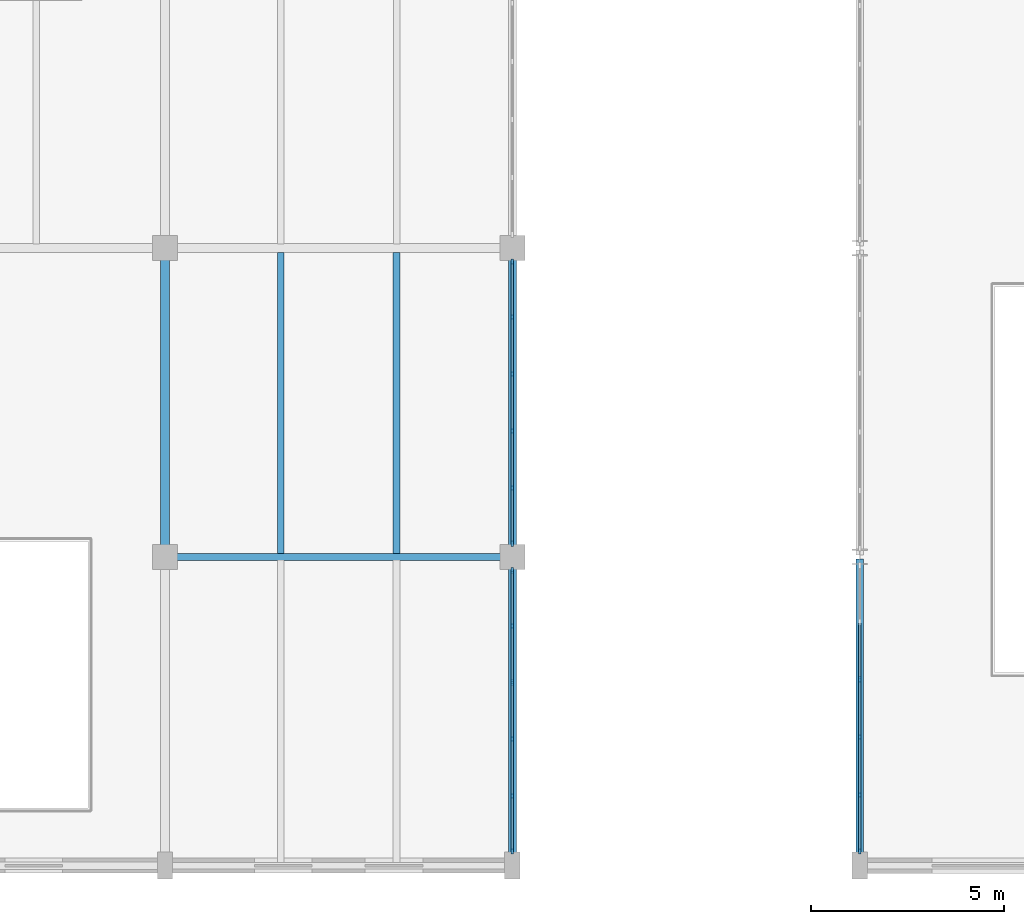
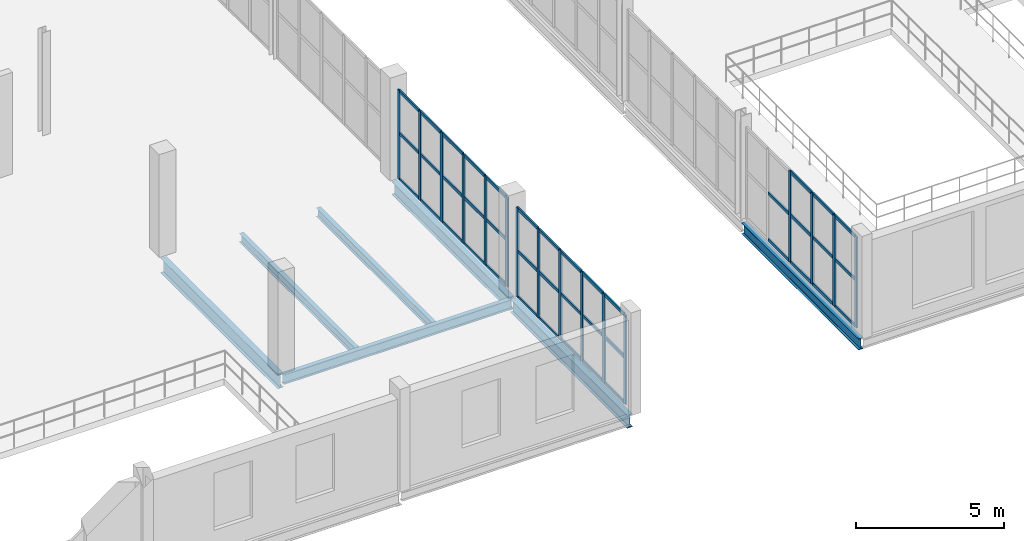
# One storey, part 18 of 85: 57 members, 7 beams, 3 elements without a shape of their own.
"""IFC4 building model written with IfcOpenShell, lengths in metres."""

import ifcopenshell
import ifcopenshell.guid

model = None  # the IFC model being written
_history = None  # IfcOwnerHistory: only IFC2X3 demands one
_inside = {}  # id of a spatial element -> (the spatial element, [elements in it])
_under = {}  # id of a project, library or spatial element -> (it, [spatial elements below it])
_declared = {}  # id of a project -> (the project, [libraries it declares])
_typed = {}  # id of a type object -> (the type object, [elements of that type])
_made_of = {}  # id of a material, layer set ... -> (it, [elements and type objects made of it])


def new_model(schema):
    """Start an empty IFC model of exactly this schema.

    Asked for "IFC4X3", IfcOpenShell would pick the latest addendum, in which some entities
    have other attributes; the version numbers below select the first issue.
    IFC2X3 requires an IfcOwnerHistory on every rooted entity: one is made here for all.
    """
    global model, _history
    if schema == "IFC4X3":
        model = ifcopenshell.file(schema_version=(4, 3, 0, 0))
    else:
        model = ifcopenshell.file(schema=schema)
    _inside.clear()
    _under.clear()
    _declared.clear()
    _typed.clear()
    _made_of.clear()
    _history = None
    if model.schema == "IFC2X3":
        org = make("IfcOrganization", Name="unknown")
        user = make(
            "IfcPersonAndOrganization",
            ThePerson=make("IfcPerson", FamilyName="unknown"),
            TheOrganization=org,
        )
        app = make(
            "IfcApplication",
            ApplicationDeveloper=org,
            Version="unknown",
            ApplicationFullName="unknown",
            ApplicationIdentifier="unknown",
        )
        _history = make(
            "IfcOwnerHistory",
            OwningUser=user,
            OwningApplication=app,
            ChangeAction="ADDED",
            CreationDate=0,
        )
    return model


def make(cls, **values):
    """One entity of the class cls with the attributes given. An attribute that is None is left unset."""
    return model.create_entity(
        cls, **{name: value for name, value in values.items() if value is not None}
    )


def rooted(cls, **values):
    """An entity with a GlobalId (a new one), such as an element, a storey or a relation."""
    return make(cls, GlobalId=ifcopenshell.guid.new(), OwnerHistory=_history, **values)


def si_unit(unit_type, name, prefix=None):
    """IfcSIUnit, for example si_unit("LENGTHUNIT", "METRE", prefix="MILLI")."""
    return make("IfcSIUnit", UnitType=unit_type, Prefix=prefix, Name=name)


def assignment(units):
    """IfcUnitAssignment: the units of a project."""
    return None if units is None else make("IfcUnitAssignment", Units=units)


def point(xyz):
    """IfcCartesianPoint."""
    return None if xyz is None else make("IfcCartesianPoint", Coordinates=xyz)


def direction(xyz):
    """IfcDirection."""
    return None if xyz is None else make("IfcDirection", DirectionRatios=xyz)


def frame(location, z_axis=None, x_axis=None):
    """IfcAxis2Placement3D, a coordinate frame: its origin and axes. An axis left out is left unset."""
    return make(
        "IfcAxis2Placement3D",
        Location=point(location),
        Axis=direction(z_axis),
        RefDirection=direction(x_axis),
    )


def frame_2d(location, x_axis=None):
    """IfcAxis2Placement2D, a coordinate frame in the plane: its origin and x axis."""
    return make(
        "IfcAxis2Placement2D", Location=point(location), RefDirection=direction(x_axis)
    )


def origin():
    """The frame at (0, 0, 0) with its axes left unset."""
    return frame((0.0, 0.0, 0.0))


def origin_2d():
    """The frame at (0, 0) in the plane with its x axis left unset."""
    return frame_2d((0.0, 0.0))


def place(relative_to, where):
    """IfcLocalPlacement: puts the frame where relative to a parent placement (None: the world)."""
    return make(
        "IfcLocalPlacement", PlacementRelTo=relative_to, RelativePlacement=where
    )


def context(
    kind, dimensions, precision=None, world=None, true_north=None, identifier=None
):
    """IfcGeometricRepresentationContext, for example the 3D "Model" context."""
    return make(
        "IfcGeometricRepresentationContext",
        ContextIdentifier=identifier,
        ContextType=kind,
        CoordinateSpaceDimension=dimensions,
        Precision=precision,
        WorldCoordinateSystem=world,
        TrueNorth=true_north,
    )


def subcontext(parent, identifier, kind, view, scale=None):
    """IfcGeometricRepresentationSubContext, for example "Body" below "Model"."""
    return make(
        "IfcGeometricRepresentationSubContext",
        ContextIdentifier=identifier,
        ContextType=kind,
        ParentContext=parent,
        TargetScale=scale,
        TargetView=view,
    )


def project(units=None, contexts=None):
    """IfcProject with its units and contexts."""
    return rooted(
        "IfcProject",
        Name="project",
        RepresentationContexts=contexts,
        UnitsInContext=assignment(units),
    )


def spatial(cls, under=None, at=None, **own):
    """A site, building, storey or space (cls), placed at a placement, below another one or the project."""
    s = rooted(cls, ObjectPlacement=at, **own)
    if under is not None:
        _under.setdefault(under.id(), (under, []))[1].append(s)
    return s


def profile(cls, at=None, kind="AREA", **sizes):
    """A parametric profile (cls). Its sizes go by their IFC names, for example OverallWidth=200.0."""
    return make(cls, ProfileType=kind, Position=at, **sizes)


def rectangle(**sizes):
    """IfcRectangleProfileDef."""
    return profile("IfcRectangleProfileDef", **sizes)


def i_section(**sizes):
    """IfcIShapeProfileDef."""
    return profile("IfcIShapeProfileDef", **sizes)


def extrude(swept, where, along, depth):
    """IfcExtrudedAreaSolid: the profile swept, set in the frame where, extruded along a direction by depth."""
    return make(
        "IfcExtrudedAreaSolid",
        SweptArea=swept,
        Position=where,
        ExtrudedDirection=direction(along),
        Depth=depth,
    )


def shape(context_of_items, identifier, shape_type, items):
    """IfcShapeRepresentation: the items that make up one representation, for example the "Body"."""
    return make(
        "IfcShapeRepresentation",
        ContextOfItems=context_of_items,
        RepresentationIdentifier=identifier,
        RepresentationType=shape_type,
        Items=items,
    )


def material(Name=None, Category=None):
    """IfcMaterial."""
    return make("IfcMaterial", Name=Name, Category=Category)


def layer(
    of_material, thickness, ventilated=None, Name=None, Category=None, Priority=None
):
    """IfcMaterialLayer: one layer of a wall or slab, of a material (None: an air gap)."""
    return make(
        "IfcMaterialLayer",
        Material=of_material,
        LayerThickness=thickness,
        IsVentilated=ventilated,
        Name=Name,
        Category=Category,
        Priority=Priority,
    )


def layer_set(layers, Name=None):
    """IfcMaterialLayerSet."""
    return make("IfcMaterialLayerSet", MaterialLayers=layers, LayerSetName=Name)


def material_profile(
    of_material, cross_section, Name=None, Category=None, Priority=None
):
    """IfcMaterialProfile: a cross section and its material."""
    return make(
        "IfcMaterialProfile",
        Name=Name,
        Material=of_material,
        Profile=cross_section,
        Priority=Priority,
        Category=Category,
    )


def profile_set(profiles, Name=None, composite=None):
    """IfcMaterialProfileSet."""
    return make(
        "IfcMaterialProfileSet",
        Name=Name,
        MaterialProfiles=profiles,
        CompositeProfile=composite,
    )


def made_of(thing, what):
    """Note that an element or type object is made of a material, layer set ...; save() writes the relation."""
    if what is not None:
        _made_of.setdefault(what.id(), (what, []))[1].append(thing)
    return thing


def type_object(cls, material=None, **own):
    """A type object (cls), such as IfcWallType, which elements share."""
    return made_of(rooted(cls, **own), material)


def element(
    cls,
    number,
    at=None,
    inside=None,
    cuts=None,
    type_object=None,
    material=None,
    context=None,
    identifier="Body",
    shape_type=None,
    held_by="IfcProductDefinitionShape",
    body=None,
    shapes=None,
    **own,
):
    """One element of the class cls, such as IfcWall. Its Tag is "e" and its number.

    at: its placement. inside: the storey or other place that contains it. cuts: it is an
    opening in that element (IfcRelVoidsElement). A single representation is given by context,
    identifier, shape_type and body (its items); several are given by shapes. held_by: the class
    of the entity that holds the representations. save() writes the other relations.
    """
    e = rooted(cls, Tag="e%d" % number, ObjectPlacement=at, **own)
    if body is not None:
        shapes = [shape(context, identifier, shape_type, body)]
    if shapes is not None:
        e.Representation = make(held_by, Representations=shapes)
    if inside is not None:
        _inside.setdefault(inside.id(), (inside, []))[1].append(e)
    if cuts is not None:
        rooted(
            "IfcRelVoidsElement", RelatingBuildingElement=cuts, RelatedOpeningElement=e
        )
    if type_object is not None:
        _typed.setdefault(type_object.id(), (type_object, []))[1].append(e)
    return made_of(e, material)


def aggregate(whole, parts):
    """IfcRelAggregates: a whole, such as a stair, and the parts it consists of."""
    return rooted("IfcRelAggregates", RelatingObject=whole, RelatedObjects=parts)


def save(model, path):
    """Write the relations noted so far, then the file.

    IfcRelAggregates (storeys below a building ...), IfcRelContainedInSpatialStructure (elements
    in a storey), IfcRelDefinesByType, IfcRelAssociatesMaterial and IfcRelDeclares: one each for
    every whole, place, type object, material and project.
    """
    for whole, parts in _under.values():
        aggregate(whole, parts)
    for where, things in _inside.values():
        rooted(
            "IfcRelContainedInSpatialStructure",
            RelatedElements=things,
            RelatingStructure=where,
        )
    for kind, things in _typed.values():
        rooted("IfcRelDefinesByType", RelatedObjects=things, RelatingType=kind)
    for what, things in _made_of.values():
        rooted("IfcRelAssociatesMaterial", RelatedObjects=things, RelatingMaterial=what)
    for by, libraries in _declared.values():
        rooted("IfcRelDeclares", RelatingContext=by, RelatedDefinitions=libraries)
    model.write(path)


model = new_model("IFC4")

# Units and contexts
model_context = context("Model", 3, precision=1e-05, world=origin(), true_north=direction((0.0, 1.0)))
body_context = subcontext(model_context, "Body", "Model", "MODEL_VIEW")
ifc_project = project(units=[si_unit("LENGTHUNIT", "METRE"), si_unit("AREAUNIT", "SQUARE_METRE"), si_unit("VOLUMEUNIT", "CUBIC_METRE"), si_unit("PLANEANGLEUNIT", "RADIAN"), si_unit("MASSUNIT", "GRAM", prefix="KILO")], contexts=[model_context])

# Site, building, storey
site_placement = place(None, origin())
site = spatial("IfcSite", under=ifc_project, at=site_placement, CompositionType="ELEMENT")
building_placement = place(site_placement, origin())
building = spatial("IfcBuilding", under=site, at=building_placement, Name="Marnock Terrace Opera House", CompositionType="ELEMENT")
storey_placement = place(building_placement, frame((0.0, 0.0, 10.199951171875)))
storey = spatial("IfcBuildingStorey", under=building, at=storey_placement, Name="L02", CompositionType="ELEMENT", Elevation=10.199951171875)

# Beams
ifc_material_1 = material(Name="Steel Grade 350 (AS/NZS 3679.1)", Category="steel")
ifc_material_profile_1 = material_profile(ifc_material_1, i_section(OverallWidth=0.177978515625, OverallDepth=0.402587890625, WebThickness=0.007568359375, FlangeThickness=0.010986328125, FilletRadius=0.011474609375, at=origin_2d()))
ifc_profile_set_1 = profile_set([ifc_material_profile_1], Name="Steel Grade 350 (AS/NZS 3679.1)")
beam_type_1 = type_object("IfcBeamType", Name="BM-GIRD-410", PredefinedType="BEAM", material=ifc_profile_set_1)
beam_1_placement = place(storey_placement, frame((37.050048828125, 16.0, -0.461181640625), z_axis=(1.0, 0.0, 0.0), x_axis=(0.0, 1.0, 0.0)))
element("IfcBeam", 1, at=beam_1_placement, inside=storey, type_object=beam_type_1, Name="L02 girder (37.0..46.0, Y=16.0)", PredefinedType="BEAM", context=body_context, shape_type="SweptSolid", body=[
    extrude(i_section(OverallWidth=0.177978515625, OverallDepth=0.402587890625, WebThickness=0.007568359375, FlangeThickness=0.010986328125, FilletRadius=0.011474609375, at=origin_2d()), origin(), (0.0, 0.0, 1.0), 8.89990234375),
])
ifc_material_profile_2 = material_profile(ifc_material_1, i_section(OverallWidth=0.18994140625, OverallDepth=0.45751953125, WebThickness=0.009033203125, FlangeThickness=0.014404296875, FilletRadius=0.011474609375, at=origin_2d()))
ifc_profile_set_2 = profile_set([ifc_material_profile_2], Name="Steel Grade 350 (AS/NZS 3679.1)")
beam_type_2 = type_object("IfcBeamType", Name="BM-GIRD-460B", PredefinedType="BEAM", material=ifc_profile_set_2)
beam_2_placement = place(storey_placement, frame((55.0, 8.050048828125, -0.48876953125), z_axis=(0.0, 1.0, 0.0), x_axis=(-1.0, 0.0, 0.0)))
element("IfcBeam", 2, at=beam_2_placement, inside=storey, type_object=beam_type_2, Name="L02 girder (X=55.0, 8.0..16.0)", PredefinedType="BEAM", context=body_context, shape_type="SweptSolid", body=[
    extrude(i_section(OverallWidth=0.18994140625, OverallDepth=0.45751953125, WebThickness=0.009033203125, FlangeThickness=0.014404296875, FilletRadius=0.011474609375, at=origin_2d()), origin(), (0.0, 0.0, 1.0), 7.89990234375),
])
ifc_material_profile_3 = material_profile(ifc_material_1, i_section(OverallWidth=0.208984375, OverallDepth=0.528076171875, WebThickness=0.009521484375, FlangeThickness=0.01318359375, FilletRadius=0.013916015625, at=origin_2d()))
ifc_profile_set_3 = profile_set([ifc_material_profile_3], Name="Steel Grade 350 (AS/NZS 3679.1)")
beam_type_3 = type_object("IfcBeamType", Name="BM-GIRD-530B", PredefinedType="BEAM", material=ifc_profile_set_3)
for number, where, z_axis, x_axis, name in (
    (3, (46.0, 8.050048828125, -0.52392578125), (0.0, 1.0, 0.0), (-1.0, 0.0, 0.0), "L02 girder (X=46.0, 8.0..16.0)"),
    (4, (46.0, 16.050048828125, -0.52392578125), (0.0, 1.0, 0.0), (-1.0, 0.0, 0.0), "L02 girder (X=46.0, 16.0..24.0)"),
):
    element("IfcBeam", number, at=place(storey_placement, frame(where, z_axis=z_axis, x_axis=x_axis)), inside=storey, type_object=beam_type_3, Name=name, PredefinedType="BEAM", context=body_context, shape_type="SweptSolid", body=[
        extrude(i_section(OverallWidth=0.208984375, OverallDepth=0.528076171875, WebThickness=0.009521484375, FlangeThickness=0.01318359375, FilletRadius=0.013916015625, at=origin_2d()), origin(), (0.0, 0.0, 1.0), 7.89990234375),
    ])
ifc_material_profile_4 = material_profile(ifc_material_1, i_section(OverallWidth=0.22802734375, OverallDepth=0.60205078125, WebThickness=0.010498046875, FlangeThickness=0.014892578125, FilletRadius=0.013916015625, at=origin_2d()))
ifc_profile_set_4 = profile_set([ifc_material_profile_4], Name="Steel Grade 350 (AS/NZS 3679.1)")
beam_type_4 = type_object("IfcBeamType", Name="BM-GIRD-610C", PredefinedType="BEAM", material=ifc_profile_set_4)
beam_3_placement = place(storey_placement, frame((37.0, 16.050048828125, -0.56103515625), z_axis=(0.0, 1.0, 0.0), x_axis=(-1.0, 0.0, 0.0)))
element("IfcBeam", 5, at=beam_3_placement, inside=storey, type_object=beam_type_4, Name="L02 girder (X=37.0, 16.0..24.0)", PredefinedType="BEAM", context=body_context, shape_type="SweptSolid", body=[
    extrude(i_section(OverallWidth=0.22802734375, OverallDepth=0.60205078125, WebThickness=0.010498046875, FlangeThickness=0.014892578125, FilletRadius=0.013916015625, at=origin_2d()), origin(), (0.0, 0.0, 1.0), 7.89990234375),
])
ifc_material_profile_5 = material_profile(ifc_material_1, i_section(OverallWidth=0.172119140625, OverallDepth=0.358642578125, WebThickness=0.008056640625, FlangeThickness=0.012939453125, FilletRadius=0.011474609375, at=origin_2d()))
ifc_profile_set_5 = profile_set([ifc_material_profile_5], Name="Steel Grade 350 (AS/NZS 3679.1)")
beam_type_5 = type_object("IfcBeamType", Name="BM-JOIST-360", PredefinedType="JOIST", material=ifc_profile_set_5)
for number, where, z_axis, x_axis, name in (
    (6, (40.0, 16.083984375, -0.439208984375), (0.0, 1.0, 0.0), (-1.0, 0.0, 0.0), "L02 secondary joist 4.2.1"),
    (7, (43.0, 16.083984375, -0.439208984375), (0.0, 1.0, 0.0), (-1.0, 0.0, 0.0), "L02 secondary joist 4.2.2"),
):
    element("IfcBeam", number, at=place(storey_placement, frame(where, z_axis=z_axis, x_axis=x_axis)), inside=storey, type_object=beam_type_5, Name=name, PredefinedType="JOIST", context=body_context, shape_type="SweptSolid", body=[
        extrude(i_section(OverallWidth=0.172119140625, OverallDepth=0.358642578125, WebThickness=0.008056640625, FlangeThickness=0.012939453125, FilletRadius=0.011474609375, at=origin_2d()), origin(), (0.0, 0.0, 1.0), 7.806396484375),
    ])

# Curtain wall, members
ifc_material_2 = material(Name="Anodised architectural bronze aluminium framing", Category="aluminium")
ifc_layer_1 = layer(ifc_material_2, 0.159912109375)
ifc_layer_set_1 = layer_set([ifc_layer_1], Name="Anodised architectural bronze aluminium framing")
curtain_wall_type_1 = type_object("IfcCurtainWallType", Name="CW-FOYER-80x42", PredefinedType="NOTDEFINED", material=ifc_layer_set_1)
curtain_wall_1_placement = place(storey_placement, origin())
curtain_wall_1 = element("IfcCurtainWall", 8, at=curtain_wall_1_placement, inside=storey, type_object=curtain_wall_type_1, Name="L02 glazed Beaux-Arts colonnade curtain wall CW-V1W-L02-01", PredefinedType="NOTDEFINED")
ifc_material_profile_6 = material_profile(ifc_material_2, rectangle(XDim=0.06005859375, YDim=0.14990234375, at=origin_2d()))
ifc_profile_set_6 = profile_set([ifc_material_profile_6], Name="Anodised architectural bronze aluminium framing")
member_type_1 = type_object("IfcMemberType", Name="CWM-60x150", PredefinedType="MULLION", material=ifc_profile_set_6)
member_1_placement = place(storey_placement, frame((55.0, 8.3759765625, 0.0), z_axis=(0.0, 0.0, 1.0), x_axis=(-1.0, 0.0, 0.0)))
member_1 = element("IfcMember", 9, at=member_1_placement, type_object=member_type_1, Name="CW-62 mullion 1", PredefinedType="MULLION", context=body_context, shape_type="SweptSolid", body=[
    extrude(rectangle(XDim=0.06005859375, YDim=0.14990234375, at=origin_2d()), origin(), (0.0, 0.0, 1.0), 3.752685546875),
])
member_2_placement = place(storey_placement, frame((55.0, 9.837646484375, 0.0), z_axis=(0.0, 0.0, 1.0), x_axis=(-1.0, 0.0, 0.0)))
member_2 = element("IfcMember", 10, at=member_2_placement, type_object=member_type_1, Name="CW-62 mullion 2", PredefinedType="MULLION", context=body_context, shape_type="SweptSolid", body=[
    extrude(rectangle(XDim=0.06005859375, YDim=0.14990234375, at=origin_2d()), origin(), (0.0, 0.0, 1.0), 3.752685546875),
])
member_3_placement = place(storey_placement, frame((55.0, 11.3291015625, 0.0), z_axis=(0.0, 0.0, 1.0), x_axis=(-1.0, 0.0, 0.0)))
member_3 = element("IfcMember", 11, at=member_3_placement, type_object=member_type_1, Name="CW-62 mullion 3", PredefinedType="MULLION", context=body_context, shape_type="SweptSolid", body=[
    extrude(rectangle(XDim=0.06005859375, YDim=0.14990234375, at=origin_2d()), origin(), (0.0, 0.0, 1.0), 3.752685546875),
])
member_4_placement = place(storey_placement, frame((55.0, 12.82080078125, 0.0), z_axis=(0.0, 0.0, 1.0), x_axis=(-1.0, 0.0, 0.0)))
member_4 = element("IfcMember", 12, at=member_4_placement, type_object=member_type_1, Name="CW-62 mullion 4", PredefinedType="MULLION", context=body_context, shape_type="SweptSolid", body=[
    extrude(rectangle(XDim=0.06005859375, YDim=0.14990234375, at=origin_2d()), origin(), (0.0, 0.0, 1.0), 3.752685546875),
])

ifc_layer_2 = layer(ifc_material_2, 0.159912109375)
ifc_layer_set_2 = layer_set([ifc_layer_2], Name="Anodised architectural bronze aluminium framing")
curtain_wall_type_2 = type_object("IfcCurtainWallType", Name="CW-COURT-80x42", PredefinedType="NOTDEFINED", material=ifc_layer_set_2)
curtain_wall_2_placement = place(storey_placement, origin())
curtain_wall_2 = element("IfcCurtainWall", 13, at=curtain_wall_2_placement, inside=storey, type_object=curtain_wall_type_2, Name="L02 glazed Beaux-Arts colonnade curtain wall CW-V3E-L02-01", PredefinedType="NOTDEFINED")
member_5_placement = place(storey_placement, frame((46.0, 8.3759765625, 0.0), z_axis=(0.0, 0.0, 1.0), x_axis=(-1.0, 0.0, 0.0)))
member_5 = element("IfcMember", 14, at=member_5_placement, type_object=member_type_1, Name="CW-12 mullion 1", PredefinedType="MULLION", context=body_context, shape_type="SweptSolid", body=[
    extrude(rectangle(XDim=0.06005859375, YDim=0.14990234375, at=origin_2d()), origin(), (0.0, 0.0, 1.0), 3.68212890625),
])
member_6_placement = place(storey_placement, frame((46.0, 9.8125, 0.0), z_axis=(0.0, 0.0, 1.0), x_axis=(-1.0, 0.0, 0.0)))
member_6 = element("IfcMember", 15, at=member_6_placement, type_object=member_type_1, Name="CW-12 mullion 2", PredefinedType="MULLION", context=body_context, shape_type="SweptSolid", body=[
    extrude(rectangle(XDim=0.06005859375, YDim=0.14990234375, at=origin_2d()), origin(), (0.0, 0.0, 1.0), 3.68212890625),
])
member_7_placement = place(storey_placement, frame((46.0, 11.279296875, 0.0), z_axis=(0.0, 0.0, 1.0), x_axis=(-1.0, 0.0, 0.0)))
member_7 = element("IfcMember", 16, at=member_7_placement, type_object=member_type_1, Name="CW-12 mullion 3", PredefinedType="MULLION", context=body_context, shape_type="SweptSolid", body=[
    extrude(rectangle(XDim=0.06005859375, YDim=0.14990234375, at=origin_2d()), origin(), (0.0, 0.0, 1.0), 3.68212890625),
])
member_8_placement = place(storey_placement, frame((46.0, 12.745849609375, 0.0), z_axis=(0.0, 0.0, 1.0), x_axis=(-1.0, 0.0, 0.0)))
member_8 = element("IfcMember", 17, at=member_8_placement, type_object=member_type_1, Name="CW-12 mullion 4", PredefinedType="MULLION", context=body_context, shape_type="SweptSolid", body=[
    extrude(rectangle(XDim=0.06005859375, YDim=0.14990234375, at=origin_2d()), origin(), (0.0, 0.0, 1.0), 3.68212890625),
])
member_9_placement = place(storey_placement, frame((46.0, 14.21240234375, 0.0), z_axis=(0.0, 0.0, 1.0), x_axis=(-1.0, 0.0, 0.0)))
member_9 = element("IfcMember", 18, at=member_9_placement, type_object=member_type_1, Name="CW-12 mullion 5", PredefinedType="MULLION", context=body_context, shape_type="SweptSolid", body=[
    extrude(rectangle(XDim=0.06005859375, YDim=0.14990234375, at=origin_2d()), origin(), (0.0, 0.0, 1.0), 3.68212890625),
])
member_10_placement = place(storey_placement, frame((46.0, 15.64892578125, 0.0), z_axis=(0.0, 0.0, 1.0), x_axis=(-1.0, 0.0, 0.0)))
member_10 = element("IfcMember", 19, at=member_10_placement, type_object=member_type_1, Name="CW-12 mullion 6", PredefinedType="MULLION", context=body_context, shape_type="SweptSolid", body=[
    extrude(rectangle(XDim=0.06005859375, YDim=0.14990234375, at=origin_2d()), origin(), (0.0, 0.0, 1.0), 3.68212890625),
])

curtain_wall_3_placement = place(storey_placement, origin())
curtain_wall_3 = element("IfcCurtainWall", 20, at=curtain_wall_3_placement, inside=storey, type_object=curtain_wall_type_2, Name="L02 glazed Beaux-Arts colonnade curtain wall CW-V3E-L02-02", PredefinedType="NOTDEFINED")
member_11_placement = place(storey_placement, frame((46.0, 16.35107421875, 0.0), z_axis=(0.0, 0.0, 1.0), x_axis=(-1.0, 0.0, 0.0)))
member_11 = element("IfcMember", 21, at=member_11_placement, type_object=member_type_1, Name="CW-12 mullion 1", PredefinedType="MULLION", context=body_context, shape_type="SweptSolid", body=[
    extrude(rectangle(XDim=0.06005859375, YDim=0.14990234375, at=origin_2d()), origin(), (0.0, 0.0, 1.0), 3.68212890625),
])
member_12_placement = place(storey_placement, frame((46.0, 17.79248046875, 0.0), z_axis=(0.0, 0.0, 1.0), x_axis=(-1.0, 0.0, 0.0)))
member_12 = element("IfcMember", 22, at=member_12_placement, type_object=member_type_1, Name="CW-12 mullion 2", PredefinedType="MULLION", context=body_context, shape_type="SweptSolid", body=[
    extrude(rectangle(XDim=0.06005859375, YDim=0.14990234375, at=origin_2d()), origin(), (0.0, 0.0, 1.0), 3.68212890625),
])
member_13_placement = place(storey_placement, frame((46.0, 19.26416015625, 0.0), z_axis=(0.0, 0.0, 1.0), x_axis=(-1.0, 0.0, 0.0)))
member_13 = element("IfcMember", 23, at=member_13_placement, type_object=member_type_1, Name="CW-12 mullion 3", PredefinedType="MULLION", context=body_context, shape_type="SweptSolid", body=[
    extrude(rectangle(XDim=0.06005859375, YDim=0.14990234375, at=origin_2d()), origin(), (0.0, 0.0, 1.0), 3.68212890625),
])
member_14_placement = place(storey_placement, frame((46.0, 20.73583984375, 0.0), z_axis=(0.0, 0.0, 1.0), x_axis=(-1.0, 0.0, 0.0)))
member_14 = element("IfcMember", 24, at=member_14_placement, type_object=member_type_1, Name="CW-12 mullion 4", PredefinedType="MULLION", context=body_context, shape_type="SweptSolid", body=[
    extrude(rectangle(XDim=0.06005859375, YDim=0.14990234375, at=origin_2d()), origin(), (0.0, 0.0, 1.0), 3.68212890625),
])
member_15_placement = place(storey_placement, frame((46.0, 22.20751953125, 0.0), z_axis=(0.0, 0.0, 1.0), x_axis=(-1.0, 0.0, 0.0)))
member_15 = element("IfcMember", 25, at=member_15_placement, type_object=member_type_1, Name="CW-12 mullion 5", PredefinedType="MULLION", context=body_context, shape_type="SweptSolid", body=[
    extrude(rectangle(XDim=0.06005859375, YDim=0.14990234375, at=origin_2d()), origin(), (0.0, 0.0, 1.0), 3.68212890625),
])
member_16_placement = place(storey_placement, frame((46.0, 23.64892578125, 0.0), z_axis=(0.0, 0.0, 1.0), x_axis=(-1.0, 0.0, 0.0)))
member_16 = element("IfcMember", 26, at=member_16_placement, type_object=member_type_1, Name="CW-12 mullion 6", PredefinedType="MULLION", context=body_context, shape_type="SweptSolid", body=[
    extrude(rectangle(XDim=0.06005859375, YDim=0.14990234375, at=origin_2d()), origin(), (0.0, 0.0, 1.0), 3.68212890625),
])

# Member
ifc_material_profile_7 = material_profile(ifc_material_2, rectangle(XDim=0.06005859375, YDim=0.1298828125, at=origin_2d()))
ifc_profile_set_7 = profile_set([ifc_material_profile_7], Name="Anodised architectural bronze aluminium framing")
member_type_2 = type_object("IfcMemberType", Name="CWT-60x130", PredefinedType="USERDEFINED", material=ifc_profile_set_7)
member_17_placement = place(storey_placement, frame((55.0, 8.406005859375, 0.030029296875), z_axis=(0.0, 1.0, 0.0), x_axis=(-1.0, 0.0, 0.0)))
member_17 = element("IfcMember", 27, at=member_17_placement, type_object=member_type_2, Name="CW-62 transom 1.1", ObjectType="TRANSOM", PredefinedType="USERDEFINED", context=body_context, shape_type="SweptSolid", body=[
    extrude(rectangle(XDim=0.06005859375, YDim=0.1298828125, at=origin_2d()), origin(), (0.0, 0.0, 1.0), 1.401611328125),
])

member_18_placement = place(storey_placement, frame((55.0, 8.406005859375, 1.951416015625), z_axis=(0.0, 1.0, 0.0), x_axis=(-1.0, 0.0, 0.0)))
member_18 = element("IfcMember", 28, at=member_18_placement, type_object=member_type_2, Name="CW-62 transom 1.2", ObjectType="TRANSOM", PredefinedType="USERDEFINED", context=body_context, shape_type="SweptSolid", body=[
    extrude(rectangle(XDim=0.06005859375, YDim=0.1298828125, at=origin_2d()), origin(), (0.0, 0.0, 1.0), 1.401611328125),
])

member_19_placement = place(storey_placement, frame((55.0, 8.406005859375, 3.72265625), z_axis=(0.0, 1.0, 0.0), x_axis=(-1.0, 0.0, 0.0)))
member_19 = element("IfcMember", 29, at=member_19_placement, type_object=member_type_2, Name="CW-62 transom 1.3", ObjectType="TRANSOM", PredefinedType="USERDEFINED", context=body_context, shape_type="SweptSolid", body=[
    extrude(rectangle(XDim=0.06005859375, YDim=0.1298828125, at=origin_2d()), origin(), (0.0, 0.0, 1.0), 1.401611328125),
])

member_20_placement = place(storey_placement, frame((55.0, 9.86767578125, 0.030029296875), z_axis=(0.0, 1.0, 0.0), x_axis=(-1.0, 0.0, 0.0)))
member_20 = element("IfcMember", 30, at=member_20_placement, type_object=member_type_2, Name="CW-62 transom 2.1", ObjectType="TRANSOM", PredefinedType="USERDEFINED", context=body_context, shape_type="SweptSolid", body=[
    extrude(rectangle(XDim=0.06005859375, YDim=0.1298828125, at=origin_2d()), origin(), (0.0, 0.0, 1.0), 1.431640625),
])

member_21_placement = place(storey_placement, frame((55.0, 9.86767578125, 1.951416015625), z_axis=(0.0, 1.0, 0.0), x_axis=(-1.0, 0.0, 0.0)))
member_21 = element("IfcMember", 31, at=member_21_placement, type_object=member_type_2, Name="CW-62 transom 2.2", ObjectType="TRANSOM", PredefinedType="USERDEFINED", context=body_context, shape_type="SweptSolid", body=[
    extrude(rectangle(XDim=0.06005859375, YDim=0.1298828125, at=origin_2d()), origin(), (0.0, 0.0, 1.0), 1.431640625),
])

member_22_placement = place(storey_placement, frame((55.0, 9.86767578125, 3.72265625), z_axis=(0.0, 1.0, 0.0), x_axis=(-1.0, 0.0, 0.0)))
member_22 = element("IfcMember", 32, at=member_22_placement, type_object=member_type_2, Name="CW-62 transom 2.3", ObjectType="TRANSOM", PredefinedType="USERDEFINED", context=body_context, shape_type="SweptSolid", body=[
    extrude(rectangle(XDim=0.06005859375, YDim=0.1298828125, at=origin_2d()), origin(), (0.0, 0.0, 1.0), 1.431640625),
])

member_23_placement = place(storey_placement, frame((55.0, 11.359130859375, 0.030029296875), z_axis=(0.0, 1.0, 0.0), x_axis=(-1.0, 0.0, 0.0)))
member_23 = element("IfcMember", 33, at=member_23_placement, type_object=member_type_2, Name="CW-62 transom 3.1", ObjectType="TRANSOM", PredefinedType="USERDEFINED", context=body_context, shape_type="SweptSolid", body=[
    extrude(rectangle(XDim=0.06005859375, YDim=0.1298828125, at=origin_2d()), origin(), (0.0, 0.0, 1.0), 1.431640625),
])

member_24_placement = place(storey_placement, frame((55.0, 11.359130859375, 1.951416015625), z_axis=(0.0, 1.0, 0.0), x_axis=(-1.0, 0.0, 0.0)))
member_24 = element("IfcMember", 34, at=member_24_placement, type_object=member_type_2, Name="CW-62 transom 3.2", ObjectType="TRANSOM", PredefinedType="USERDEFINED", context=body_context, shape_type="SweptSolid", body=[
    extrude(rectangle(XDim=0.06005859375, YDim=0.1298828125, at=origin_2d()), origin(), (0.0, 0.0, 1.0), 1.431640625),
])

member_25_placement = place(storey_placement, frame((55.0, 11.359130859375, 3.72265625), z_axis=(0.0, 1.0, 0.0), x_axis=(-1.0, 0.0, 0.0)))
member_25 = element("IfcMember", 35, at=member_25_placement, type_object=member_type_2, Name="CW-62 transom 3.3", ObjectType="TRANSOM", PredefinedType="USERDEFINED", context=body_context, shape_type="SweptSolid", body=[
    extrude(rectangle(XDim=0.06005859375, YDim=0.1298828125, at=origin_2d()), origin(), (0.0, 0.0, 1.0), 1.431640625),
])

member_26_placement = place(storey_placement, frame((55.0, 12.850830078125, 0.030029296875), z_axis=(0.0, 1.0, 0.0), x_axis=(-1.0, 0.0, 0.0)))
member_26 = element("IfcMember", 36, at=member_26_placement, type_object=member_type_2, Name="CW-62 transom 4.1", ObjectType="TRANSOM", PredefinedType="USERDEFINED", context=body_context, shape_type="SweptSolid", body=[
    extrude(rectangle(XDim=0.06005859375, YDim=0.1298828125, at=origin_2d()), origin(), (0.0, 0.0, 1.0), 1.431640625),
])

member_27_placement = place(storey_placement, frame((55.0, 12.850830078125, 1.951416015625), z_axis=(0.0, 1.0, 0.0), x_axis=(-1.0, 0.0, 0.0)))
member_27 = element("IfcMember", 37, at=member_27_placement, type_object=member_type_2, Name="CW-62 transom 4.2", ObjectType="TRANSOM", PredefinedType="USERDEFINED", context=body_context, shape_type="SweptSolid", body=[
    extrude(rectangle(XDim=0.06005859375, YDim=0.1298828125, at=origin_2d()), origin(), (0.0, 0.0, 1.0), 1.431640625),
])

aggregate(curtain_wall_1, [member_1, member_2, member_3, member_4, member_17, member_18, member_19, member_20, member_21, member_22, member_23, member_24, member_25, member_26, member_27])

member_28_placement = place(storey_placement, frame((46.0, 8.406005859375, 0.030029296875), z_axis=(0.0, 1.0, 0.0), x_axis=(-1.0, 0.0, 0.0)))
member_28 = element("IfcMember", 38, at=member_28_placement, type_object=member_type_2, Name="CW-12 transom 1.1", ObjectType="TRANSOM", PredefinedType="USERDEFINED", context=body_context, shape_type="SweptSolid", body=[
    extrude(rectangle(XDim=0.06005859375, YDim=0.1298828125, at=origin_2d()), origin(), (0.0, 0.0, 1.0), 1.376708984375),
])

member_29_placement = place(storey_placement, frame((46.0, 8.406005859375, 1.91455078125), z_axis=(0.0, 1.0, 0.0), x_axis=(-1.0, 0.0, 0.0)))
member_29 = element("IfcMember", 39, at=member_29_placement, type_object=member_type_2, Name="CW-12 transom 1.2", ObjectType="TRANSOM", PredefinedType="USERDEFINED", context=body_context, shape_type="SweptSolid", body=[
    extrude(rectangle(XDim=0.06005859375, YDim=0.1298828125, at=origin_2d()), origin(), (0.0, 0.0, 1.0), 1.376708984375),
])

member_30_placement = place(storey_placement, frame((46.0, 8.406005859375, 3.652099609375), z_axis=(0.0, 1.0, 0.0), x_axis=(-1.0, 0.0, 0.0)))
member_30 = element("IfcMember", 40, at=member_30_placement, type_object=member_type_2, Name="CW-12 transom 1.3", ObjectType="TRANSOM", PredefinedType="USERDEFINED", context=body_context, shape_type="SweptSolid", body=[
    extrude(rectangle(XDim=0.06005859375, YDim=0.1298828125, at=origin_2d()), origin(), (0.0, 0.0, 1.0), 1.376708984375),
])

member_31_placement = place(storey_placement, frame((46.0, 9.842529296875, 0.030029296875), z_axis=(0.0, 1.0, 0.0), x_axis=(-1.0, 0.0, 0.0)))
member_31 = element("IfcMember", 41, at=member_31_placement, type_object=member_type_2, Name="CW-12 transom 2.1", ObjectType="TRANSOM", PredefinedType="USERDEFINED", context=body_context, shape_type="SweptSolid", body=[
    extrude(rectangle(XDim=0.06005859375, YDim=0.1298828125, at=origin_2d()), origin(), (0.0, 0.0, 1.0), 1.40673828125),
])

member_32_placement = place(storey_placement, frame((46.0, 9.842529296875, 1.91455078125), z_axis=(0.0, 1.0, 0.0), x_axis=(-1.0, 0.0, 0.0)))
member_32 = element("IfcMember", 42, at=member_32_placement, type_object=member_type_2, Name="CW-12 transom 2.2", ObjectType="TRANSOM", PredefinedType="USERDEFINED", context=body_context, shape_type="SweptSolid", body=[
    extrude(rectangle(XDim=0.06005859375, YDim=0.1298828125, at=origin_2d()), origin(), (0.0, 0.0, 1.0), 1.40673828125),
])

member_33_placement = place(storey_placement, frame((46.0, 9.842529296875, 3.652099609375), z_axis=(0.0, 1.0, 0.0), x_axis=(-1.0, 0.0, 0.0)))
member_33 = element("IfcMember", 43, at=member_33_placement, type_object=member_type_2, Name="CW-12 transom 2.3", ObjectType="TRANSOM", PredefinedType="USERDEFINED", context=body_context, shape_type="SweptSolid", body=[
    extrude(rectangle(XDim=0.06005859375, YDim=0.1298828125, at=origin_2d()), origin(), (0.0, 0.0, 1.0), 1.40673828125),
])

member_34_placement = place(storey_placement, frame((46.0, 11.30908203125, 0.030029296875), z_axis=(0.0, 1.0, 0.0), x_axis=(-1.0, 0.0, 0.0)))
member_34 = element("IfcMember", 44, at=member_34_placement, type_object=member_type_2, Name="CW-12 transom 3.1", ObjectType="TRANSOM", PredefinedType="USERDEFINED", context=body_context, shape_type="SweptSolid", body=[
    extrude(rectangle(XDim=0.06005859375, YDim=0.1298828125, at=origin_2d()), origin(), (0.0, 0.0, 1.0), 1.40673828125),
])

member_35_placement = place(storey_placement, frame((46.0, 11.30908203125, 1.91455078125), z_axis=(0.0, 1.0, 0.0), x_axis=(-1.0, 0.0, 0.0)))
member_35 = element("IfcMember", 45, at=member_35_placement, type_object=member_type_2, Name="CW-12 transom 3.2", ObjectType="TRANSOM", PredefinedType="USERDEFINED", context=body_context, shape_type="SweptSolid", body=[
    extrude(rectangle(XDim=0.06005859375, YDim=0.1298828125, at=origin_2d()), origin(), (0.0, 0.0, 1.0), 1.40673828125),
])

member_36_placement = place(storey_placement, frame((46.0, 11.30908203125, 3.652099609375), z_axis=(0.0, 1.0, 0.0), x_axis=(-1.0, 0.0, 0.0)))
member_36 = element("IfcMember", 46, at=member_36_placement, type_object=member_type_2, Name="CW-12 transom 3.3", ObjectType="TRANSOM", PredefinedType="USERDEFINED", context=body_context, shape_type="SweptSolid", body=[
    extrude(rectangle(XDim=0.06005859375, YDim=0.1298828125, at=origin_2d()), origin(), (0.0, 0.0, 1.0), 1.40673828125),
])

member_37_placement = place(storey_placement, frame((46.0, 12.77587890625, 0.030029296875), z_axis=(0.0, 1.0, 0.0), x_axis=(-1.0, 0.0, 0.0)))
member_37 = element("IfcMember", 47, at=member_37_placement, type_object=member_type_2, Name="CW-12 transom 4.1", ObjectType="TRANSOM", PredefinedType="USERDEFINED", context=body_context, shape_type="SweptSolid", body=[
    extrude(rectangle(XDim=0.06005859375, YDim=0.1298828125, at=origin_2d()), origin(), (0.0, 0.0, 1.0), 1.406494140625),
])

member_38_placement = place(storey_placement, frame((46.0, 12.77587890625, 1.91455078125), z_axis=(0.0, 1.0, 0.0), x_axis=(-1.0, 0.0, 0.0)))
member_38 = element("IfcMember", 48, at=member_38_placement, type_object=member_type_2, Name="CW-12 transom 4.2", ObjectType="TRANSOM", PredefinedType="USERDEFINED", context=body_context, shape_type="SweptSolid", body=[
    extrude(rectangle(XDim=0.06005859375, YDim=0.1298828125, at=origin_2d()), origin(), (0.0, 0.0, 1.0), 1.406494140625),
])

member_39_placement = place(storey_placement, frame((46.0, 12.77587890625, 3.652099609375), z_axis=(0.0, 1.0, 0.0), x_axis=(-1.0, 0.0, 0.0)))
member_39 = element("IfcMember", 49, at=member_39_placement, type_object=member_type_2, Name="CW-12 transom 4.3", ObjectType="TRANSOM", PredefinedType="USERDEFINED", context=body_context, shape_type="SweptSolid", body=[
    extrude(rectangle(XDim=0.06005859375, YDim=0.1298828125, at=origin_2d()), origin(), (0.0, 0.0, 1.0), 1.406494140625),
])

member_40_placement = place(storey_placement, frame((46.0, 14.242431640625, 0.030029296875), z_axis=(0.0, 1.0, 0.0), x_axis=(-1.0, 0.0, 0.0)))
member_40 = element("IfcMember", 50, at=member_40_placement, type_object=member_type_2, Name="CW-12 transom 5.1", ObjectType="TRANSOM", PredefinedType="USERDEFINED", context=body_context, shape_type="SweptSolid", body=[
    extrude(rectangle(XDim=0.06005859375, YDim=0.1298828125, at=origin_2d()), origin(), (0.0, 0.0, 1.0), 1.37646484375),
])

member_41_placement = place(storey_placement, frame((46.0, 14.242431640625, 1.91455078125), z_axis=(0.0, 1.0, 0.0), x_axis=(-1.0, 0.0, 0.0)))
member_41 = element("IfcMember", 51, at=member_41_placement, type_object=member_type_2, Name="CW-12 transom 5.2", ObjectType="TRANSOM", PredefinedType="USERDEFINED", context=body_context, shape_type="SweptSolid", body=[
    extrude(rectangle(XDim=0.06005859375, YDim=0.1298828125, at=origin_2d()), origin(), (0.0, 0.0, 1.0), 1.37646484375),
])

member_42_placement = place(storey_placement, frame((46.0, 14.242431640625, 3.652099609375), z_axis=(0.0, 1.0, 0.0), x_axis=(-1.0, 0.0, 0.0)))
member_42 = element("IfcMember", 52, at=member_42_placement, type_object=member_type_2, Name="CW-12 transom 5.3", ObjectType="TRANSOM", PredefinedType="USERDEFINED", context=body_context, shape_type="SweptSolid", body=[
    extrude(rectangle(XDim=0.06005859375, YDim=0.1298828125, at=origin_2d()), origin(), (0.0, 0.0, 1.0), 1.37646484375),
])

aggregate(curtain_wall_2, [member_5, member_6, member_7, member_8, member_9, member_10, member_28, member_29, member_30, member_31, member_32, member_33, member_34, member_35, member_36, member_37, member_38, member_39, member_40, member_41, member_42])

member_43_placement = place(storey_placement, frame((46.0, 16.381103515625, 0.030029296875), z_axis=(0.0, 1.0, 0.0), x_axis=(-1.0, 0.0, 0.0)))
member_43 = element("IfcMember", 53, at=member_43_placement, type_object=member_type_2, Name="CW-12 transom 1.1", ObjectType="TRANSOM", PredefinedType="USERDEFINED", context=body_context, shape_type="SweptSolid", body=[
    extrude(rectangle(XDim=0.06005859375, YDim=0.1298828125, at=origin_2d()), origin(), (0.0, 0.0, 1.0), 1.381591796875),
])

member_44_placement = place(storey_placement, frame((46.0, 16.381103515625, 1.91455078125), z_axis=(0.0, 1.0, 0.0), x_axis=(-1.0, 0.0, 0.0)))
member_44 = element("IfcMember", 54, at=member_44_placement, type_object=member_type_2, Name="CW-12 transom 1.2", ObjectType="TRANSOM", PredefinedType="USERDEFINED", context=body_context, shape_type="SweptSolid", body=[
    extrude(rectangle(XDim=0.06005859375, YDim=0.1298828125, at=origin_2d()), origin(), (0.0, 0.0, 1.0), 1.381591796875),
])

member_45_placement = place(storey_placement, frame((46.0, 16.381103515625, 3.652099609375), z_axis=(0.0, 1.0, 0.0), x_axis=(-1.0, 0.0, 0.0)))
member_45 = element("IfcMember", 55, at=member_45_placement, type_object=member_type_2, Name="CW-12 transom 1.3", ObjectType="TRANSOM", PredefinedType="USERDEFINED", context=body_context, shape_type="SweptSolid", body=[
    extrude(rectangle(XDim=0.06005859375, YDim=0.1298828125, at=origin_2d()), origin(), (0.0, 0.0, 1.0), 1.381591796875),
])

member_46_placement = place(storey_placement, frame((46.0, 17.822509765625, 0.030029296875), z_axis=(0.0, 1.0, 0.0), x_axis=(-1.0, 0.0, 0.0)))
member_46 = element("IfcMember", 56, at=member_46_placement, type_object=member_type_2, Name="CW-12 transom 2.1", ObjectType="TRANSOM", PredefinedType="USERDEFINED", context=body_context, shape_type="SweptSolid", body=[
    extrude(rectangle(XDim=0.06005859375, YDim=0.1298828125, at=origin_2d()), origin(), (0.0, 0.0, 1.0), 1.41162109375),
])

member_47_placement = place(storey_placement, frame((46.0, 17.822509765625, 1.91455078125), z_axis=(0.0, 1.0, 0.0), x_axis=(-1.0, 0.0, 0.0)))
member_47 = element("IfcMember", 57, at=member_47_placement, type_object=member_type_2, Name="CW-12 transom 2.2", ObjectType="TRANSOM", PredefinedType="USERDEFINED", context=body_context, shape_type="SweptSolid", body=[
    extrude(rectangle(XDim=0.06005859375, YDim=0.1298828125, at=origin_2d()), origin(), (0.0, 0.0, 1.0), 1.41162109375),
])

member_48_placement = place(storey_placement, frame((46.0, 17.822509765625, 3.652099609375), z_axis=(0.0, 1.0, 0.0), x_axis=(-1.0, 0.0, 0.0)))
member_48 = element("IfcMember", 58, at=member_48_placement, type_object=member_type_2, Name="CW-12 transom 2.3", ObjectType="TRANSOM", PredefinedType="USERDEFINED", context=body_context, shape_type="SweptSolid", body=[
    extrude(rectangle(XDim=0.06005859375, YDim=0.1298828125, at=origin_2d()), origin(), (0.0, 0.0, 1.0), 1.41162109375),
])

member_49_placement = place(storey_placement, frame((46.0, 19.294189453125, 0.030029296875), z_axis=(0.0, 1.0, 0.0), x_axis=(-1.0, 0.0, 0.0)))
member_49 = element("IfcMember", 59, at=member_49_placement, type_object=member_type_2, Name="CW-12 transom 3.1", ObjectType="TRANSOM", PredefinedType="USERDEFINED", context=body_context, shape_type="SweptSolid", body=[
    extrude(rectangle(XDim=0.06005859375, YDim=0.1298828125, at=origin_2d()), origin(), (0.0, 0.0, 1.0), 1.41162109375),
])

member_50_placement = place(storey_placement, frame((46.0, 19.294189453125, 1.91455078125), z_axis=(0.0, 1.0, 0.0), x_axis=(-1.0, 0.0, 0.0)))
member_50 = element("IfcMember", 60, at=member_50_placement, type_object=member_type_2, Name="CW-12 transom 3.2", ObjectType="TRANSOM", PredefinedType="USERDEFINED", context=body_context, shape_type="SweptSolid", body=[
    extrude(rectangle(XDim=0.06005859375, YDim=0.1298828125, at=origin_2d()), origin(), (0.0, 0.0, 1.0), 1.41162109375),
])

member_51_placement = place(storey_placement, frame((46.0, 19.294189453125, 3.652099609375), z_axis=(0.0, 1.0, 0.0), x_axis=(-1.0, 0.0, 0.0)))
member_51 = element("IfcMember", 61, at=member_51_placement, type_object=member_type_2, Name="CW-12 transom 3.3", ObjectType="TRANSOM", PredefinedType="USERDEFINED", context=body_context, shape_type="SweptSolid", body=[
    extrude(rectangle(XDim=0.06005859375, YDim=0.1298828125, at=origin_2d()), origin(), (0.0, 0.0, 1.0), 1.41162109375),
])

member_52_placement = place(storey_placement, frame((46.0, 20.765869140625, 0.030029296875), z_axis=(0.0, 1.0, 0.0), x_axis=(-1.0, 0.0, 0.0)))
member_52 = element("IfcMember", 62, at=member_52_placement, type_object=member_type_2, Name="CW-12 transom 4.1", ObjectType="TRANSOM", PredefinedType="USERDEFINED", context=body_context, shape_type="SweptSolid", body=[
    extrude(rectangle(XDim=0.06005859375, YDim=0.1298828125, at=origin_2d()), origin(), (0.0, 0.0, 1.0), 1.41162109375),
])

member_53_placement = place(storey_placement, frame((46.0, 20.765869140625, 1.91455078125), z_axis=(0.0, 1.0, 0.0), x_axis=(-1.0, 0.0, 0.0)))
member_53 = element("IfcMember", 63, at=member_53_placement, type_object=member_type_2, Name="CW-12 transom 4.2", ObjectType="TRANSOM", PredefinedType="USERDEFINED", context=body_context, shape_type="SweptSolid", body=[
    extrude(rectangle(XDim=0.06005859375, YDim=0.1298828125, at=origin_2d()), origin(), (0.0, 0.0, 1.0), 1.41162109375),
])

member_54_placement = place(storey_placement, frame((46.0, 20.765869140625, 3.652099609375), z_axis=(0.0, 1.0, 0.0), x_axis=(-1.0, 0.0, 0.0)))
member_54 = element("IfcMember", 64, at=member_54_placement, type_object=member_type_2, Name="CW-12 transom 4.3", ObjectType="TRANSOM", PredefinedType="USERDEFINED", context=body_context, shape_type="SweptSolid", body=[
    extrude(rectangle(XDim=0.06005859375, YDim=0.1298828125, at=origin_2d()), origin(), (0.0, 0.0, 1.0), 1.41162109375),
])

member_55_placement = place(storey_placement, frame((46.0, 22.2373046875, 0.030029296875), z_axis=(0.0, 1.0, 0.0), x_axis=(-1.0, 0.0, 0.0)))
member_55 = element("IfcMember", 65, at=member_55_placement, type_object=member_type_2, Name="CW-12 transom 5.1", ObjectType="TRANSOM", PredefinedType="USERDEFINED", context=body_context, shape_type="SweptSolid", body=[
    extrude(rectangle(XDim=0.06005859375, YDim=0.1298828125, at=origin_2d()), origin(), (0.0, 0.0, 1.0), 1.381591796875),
])

member_56_placement = place(storey_placement, frame((46.0, 22.2373046875, 1.91455078125), z_axis=(0.0, 1.0, 0.0), x_axis=(-1.0, 0.0, 0.0)))
member_56 = element("IfcMember", 66, at=member_56_placement, type_object=member_type_2, Name="CW-12 transom 5.2", ObjectType="TRANSOM", PredefinedType="USERDEFINED", context=body_context, shape_type="SweptSolid", body=[
    extrude(rectangle(XDim=0.06005859375, YDim=0.1298828125, at=origin_2d()), origin(), (0.0, 0.0, 1.0), 1.381591796875),
])

member_57_placement = place(storey_placement, frame((46.0, 22.2373046875, 3.652099609375), z_axis=(0.0, 1.0, 0.0), x_axis=(-1.0, 0.0, 0.0)))
member_57 = element("IfcMember", 67, at=member_57_placement, type_object=member_type_2, Name="CW-12 transom 5.3", ObjectType="TRANSOM", PredefinedType="USERDEFINED", context=body_context, shape_type="SweptSolid", body=[
    extrude(rectangle(XDim=0.06005859375, YDim=0.1298828125, at=origin_2d()), origin(), (0.0, 0.0, 1.0), 1.381591796875),
])

aggregate(curtain_wall_3, [member_11, member_12, member_13, member_14, member_15, member_16, member_43, member_44, member_45, member_46, member_47, member_48, member_49, member_50, member_51, member_52, member_53, member_54, member_55, member_56, member_57])

save(model, "model.ifc")
